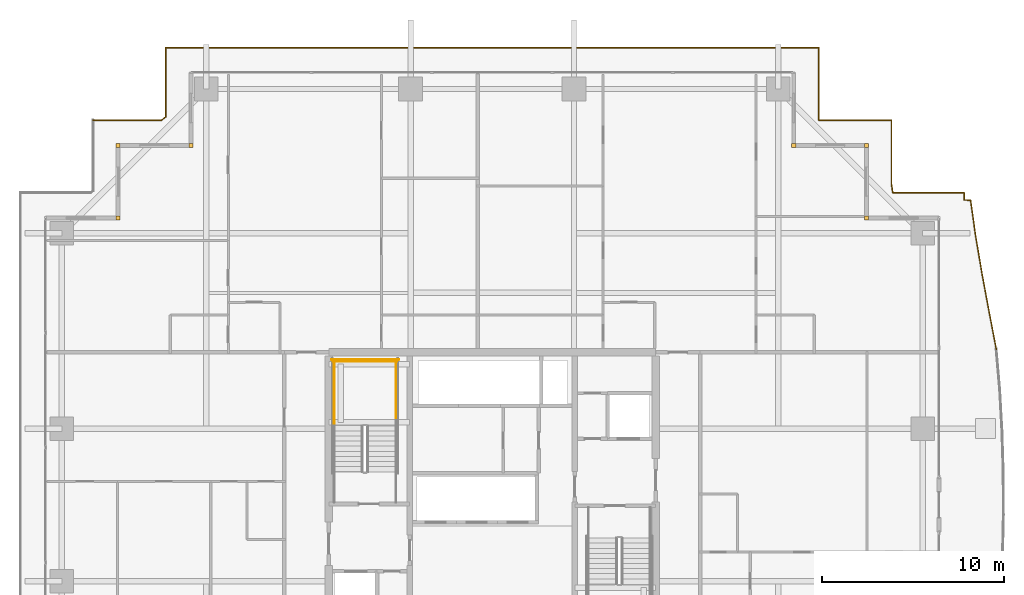
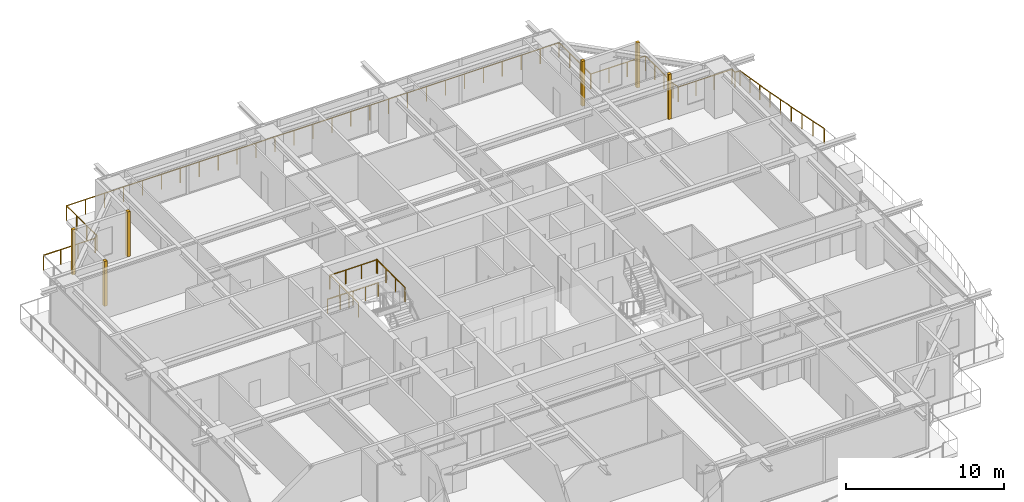
# One storey, part 37 of 37: 6 coverings, 6 railings.
"""IFC4 building model written with IfcOpenShell, lengths in metres."""

from ifc_helpers import new_model, si_unit, direction, frame, origin, origin_2d, place, context, subcontext, project, spatial, rectangle, circle, extrude, source, transform, mapped, material, layer, layer_set, type_object, element, save


model = new_model("IFC4")

# Units and contexts
model_context = context("Model", 3, precision=1e-05, world=origin(), true_north=direction((0.0, 1.0)))
body_context = subcontext(model_context, "Body", "Model", "MODEL_VIEW")
ifc_project = project(units=[si_unit("LENGTHUNIT", "METRE"), si_unit("AREAUNIT", "SQUARE_METRE"), si_unit("VOLUMEUNIT", "CUBIC_METRE"), si_unit("PLANEANGLEUNIT", "RADIAN"), si_unit("MASSUNIT", "GRAM", prefix="KILO")], contexts=[model_context])

# Site, building, storey
site_placement = place(None, origin())
site = spatial("IfcSite", under=ifc_project, at=site_placement, CompositionType="ELEMENT")
building_placement = place(site_placement, origin())
building = spatial("IfcBuilding", under=site, at=building_placement, Name="Serunith Strait Residences", CompositionType="ELEMENT")
storey_placement = place(building_placement, frame((0.0, 0.0, 161.39990234375)))
storey = spatial("IfcBuildingStorey", under=building, at=storey_placement, Name="L40", CompositionType="ELEMENT", Elevation=161.39990234375)

# Railings
ifc_material_1 = material(Name="Stainless Steel & Laminated Glass Balustrade", Category="steel")
railing_type_1 = type_object("IfcRailingType", Name="RLG-BALC-1150", PredefinedType="BALUSTRADE", material=ifc_material_1)
railing_1_placement = place(storey_placement, frame((10.419921875, 46.3798828125, -0.0498046875)))
element("IfcRailing", 1, at=railing_1_placement, inside=storey, type_object=railing_type_1, Name="L40 Swirling Balcony Perimeter Balustrade 2", PredefinedType="BALUSTRADE", context=body_context, shape_type="SweptSolid", body=[
    extrude(circle(Radius=0.02392578125, at=origin_2d()), frame((0.001953125, 0.0, 1.1259765625), z_axis=(1.0, 0.0, 0.0), x_axis=(0.0, 1.0, 0.0)), (0.0, 0.0, 1.0), 3.7744140625),
    extrude(circle(Radius=0.02392578125, at=origin_2d()), frame((3.77978515625, 0.001220703125, 1.1259765625), z_axis=(0.777683480837, 0.628656029664, 0.0), x_axis=(-0.628656029664, 0.777683480837, 0.0)), (0.0, 0.0, 1.0), 0.281005859375),
    extrude(circle(Radius=0.02392578125, at=origin_2d()), frame((4.0, 0.18115234375, 1.1259765625), z_axis=(0.0, 1.0, 0.0), x_axis=(-1.0, 0.0, 0.0)), (0.0, 0.0, 1.0), 3.81689453125),
    extrude(circle(Radius=0.02392578125, at=origin_2d()), frame((4.001953125, 4.0, 1.1259765625), z_axis=(1.0, 0.0, 0.0), x_axis=(0.0, 1.0, 0.0)), (0.0, 0.0, 1.0), 35.9560546875),
    extrude(circle(Radius=0.02392578125, at=origin_2d()), frame((39.9599609375, 3.998046875, 1.1259765625), z_axis=(0.0, -1.0, 0.0), x_axis=(1.0, 0.0, 0.0)), (0.0, 0.0, 1.0), 3.99609375),
    extrude(circle(Radius=0.02392578125, at=origin_2d()), frame((39.9619140625, 0.0, 1.1259765625), z_axis=(1.0, 0.0, 0.0), x_axis=(0.0, 1.0, 0.0)), (0.0, 0.0, 1.0), 3.99609375),
    extrude(circle(Radius=0.02392578125, at=origin_2d()), frame((43.9599609375, -0.001953125, 1.1259765625), z_axis=(0.0, -1.0, 0.0), x_axis=(1.0, 0.0, 0.0)), (0.0, 0.0, 1.0), 3.486083984375),
    extrude(circle(Radius=0.02392578125, at=origin_2d()), frame((43.960205078125, -3.491943359375, 1.1259765625), z_axis=(0.14864137233, -0.988891168143, 0.0), x_axis=(0.988891168143, 0.14864137233, 0.0)), (0.0, 0.0, 1.0), 0.51171875),
    extrude(circle(Radius=0.02099609375, at=origin_2d()), origin(), (0.0, 0.0, 1.0), 1.099853515625),
    extrude(circle(Radius=0.02099609375, at=origin_2d()), frame((1.259521484375, 0.0, 0.0)), (0.0, 0.0, 1.0), 1.099853515625),
    extrude(circle(Radius=0.02099609375, at=origin_2d()), frame((2.518798828125, 0.0, 0.0)), (0.0, 0.0, 1.0), 1.099853515625),
    extrude(circle(Radius=0.02099609375, at=origin_2d()), frame((3.7783203125, 0.0, 0.0)), (0.0, 0.0, 1.0), 1.099853515625),
    extrude(circle(Radius=0.02099609375, at=origin_2d()), frame((4.0, 0.17919921875, 0.0)), (0.0, 0.0, 1.0), 1.099853515625),
    extrude(circle(Radius=0.02099609375, at=origin_2d()), frame((4.0, 1.452880859375, 0.0)), (0.0, 0.0, 1.0), 1.099853515625),
    extrude(circle(Radius=0.02099609375, at=origin_2d()), frame((4.0, 2.726318359375, 0.0)), (0.0, 0.0, 1.0), 1.099853515625),
    extrude(circle(Radius=0.02099609375, at=origin_2d()), frame((4.0, 4.0, 0.0)), (0.0, 0.0, 1.0), 1.099853515625),
    extrude(circle(Radius=0.02099609375, at=origin_2d()), frame((5.383056640625, 4.0, 0.0)), (0.0, 0.0, 1.0), 1.099853515625),
    extrude(circle(Radius=0.02099609375, at=origin_2d()), frame((6.76611328125, 4.0, 0.0)), (0.0, 0.0, 1.0), 1.099853515625),
    extrude(circle(Radius=0.02099609375, at=origin_2d()), frame((8.149169921875, 4.0, 0.0)), (0.0, 0.0, 1.0), 1.099853515625),
    extrude(circle(Radius=0.02099609375, at=origin_2d()), frame((9.5322265625, 4.0, 0.0)), (0.0, 0.0, 1.0), 1.099853515625),
    extrude(circle(Radius=0.02099609375, at=origin_2d()), frame((10.915283203125, 4.0, 0.0)), (0.0, 0.0, 1.0), 1.099853515625),
    extrude(circle(Radius=0.02099609375, at=origin_2d()), frame((12.29833984375, 4.0, 0.0)), (0.0, 0.0, 1.0), 1.099853515625),
    extrude(circle(Radius=0.02099609375, at=origin_2d()), frame((13.681640625, 4.0, 0.0)), (0.0, 0.0, 1.0), 1.099853515625),
    extrude(circle(Radius=0.02099609375, at=origin_2d()), frame((15.064697265625, 4.0, 0.0)), (0.0, 0.0, 1.0), 1.099853515625),
    extrude(circle(Radius=0.02099609375, at=origin_2d()), frame((16.44775390625, 4.0, 0.0)), (0.0, 0.0, 1.0), 1.099853515625),
    extrude(circle(Radius=0.02099609375, at=origin_2d()), frame((17.830810546875, 4.0, 0.0)), (0.0, 0.0, 1.0), 1.099853515625),
    extrude(circle(Radius=0.02099609375, at=origin_2d()), frame((19.2138671875, 4.0, 0.0)), (0.0, 0.0, 1.0), 1.099853515625),
    extrude(circle(Radius=0.02099609375, at=origin_2d()), frame((20.596923828125, 4.0, 0.0)), (0.0, 0.0, 1.0), 1.099853515625),
    extrude(circle(Radius=0.02099609375, at=origin_2d()), frame((21.97998046875, 4.0, 0.0)), (0.0, 0.0, 1.0), 1.099853515625),
    extrude(circle(Radius=0.02099609375, at=origin_2d()), frame((23.363037109375, 4.0, 0.0)), (0.0, 0.0, 1.0), 1.099853515625),
    extrude(circle(Radius=0.02099609375, at=origin_2d()), frame((24.74609375, 4.0, 0.0)), (0.0, 0.0, 1.0), 1.099853515625),
    extrude(circle(Radius=0.02099609375, at=origin_2d()), frame((26.129150390625, 4.0, 0.0)), (0.0, 0.0, 1.0), 1.099853515625),
    extrude(circle(Radius=0.02099609375, at=origin_2d()), frame((27.51220703125, 4.0, 0.0)), (0.0, 0.0, 1.0), 1.099853515625),
    extrude(circle(Radius=0.02099609375, at=origin_2d()), frame((28.895263671875, 4.0, 0.0)), (0.0, 0.0, 1.0), 1.099853515625),
    extrude(circle(Radius=0.02099609375, at=origin_2d()), frame((30.2783203125, 4.0, 0.0)), (0.0, 0.0, 1.0), 1.099853515625),
    extrude(circle(Radius=0.02099609375, at=origin_2d()), frame((31.66162109375, 4.0, 0.0)), (0.0, 0.0, 1.0), 1.099853515625),
    extrude(circle(Radius=0.02099609375, at=origin_2d()), frame((33.044677734375, 4.0, 0.0)), (0.0, 0.0, 1.0), 1.099853515625),
    extrude(circle(Radius=0.02099609375, at=origin_2d()), frame((34.427734375, 4.0, 0.0)), (0.0, 0.0, 1.0), 1.099853515625),
    extrude(circle(Radius=0.02099609375, at=origin_2d()), frame((35.810791015625, 4.0, 0.0)), (0.0, 0.0, 1.0), 1.099853515625),
    extrude(circle(Radius=0.02099609375, at=origin_2d()), frame((37.19384765625, 4.0, 0.0)), (0.0, 0.0, 1.0), 1.099853515625),
    extrude(circle(Radius=0.02099609375, at=origin_2d()), frame((38.576904296875, 4.0, 0.0)), (0.0, 0.0, 1.0), 1.099853515625),
    extrude(circle(Radius=0.02099609375, at=origin_2d()), frame((39.9599609375, 4.0, 0.0)), (0.0, 0.0, 1.0), 1.099853515625),
    extrude(circle(Radius=0.02099609375, at=origin_2d()), frame((39.9599609375, 2.666748046875, 0.0)), (0.0, 0.0, 1.0), 1.099853515625),
    extrude(circle(Radius=0.02099609375, at=origin_2d()), frame((39.9599609375, 1.333251953125, 0.0)), (0.0, 0.0, 1.0), 1.099853515625),
    extrude(circle(Radius=0.02099609375, at=origin_2d()), frame((39.9599609375, 0.0, 0.0)), (0.0, 0.0, 1.0), 1.099853515625),
    extrude(circle(Radius=0.02099609375, at=origin_2d()), frame((41.293212890625, 0.0, 0.0)), (0.0, 0.0, 1.0), 1.099853515625),
    extrude(circle(Radius=0.02099609375, at=origin_2d()), frame((42.626708984375, 0.0, 0.0)), (0.0, 0.0, 1.0), 1.099853515625),
    extrude(circle(Radius=0.02099609375, at=origin_2d()), frame((43.9599609375, 0.0, 0.0)), (0.0, 0.0, 1.0), 1.099853515625),
    extrude(circle(Radius=0.02099609375, at=origin_2d()), frame((43.9599609375, -1.163330078125, 0.0)), (0.0, 0.0, 1.0), 1.099853515625),
    extrude(circle(Radius=0.02099609375, at=origin_2d()), frame((43.9599609375, -2.32666015625, 0.0)), (0.0, 0.0, 1.0), 1.099853515625),
    extrude(circle(Radius=0.02099609375, at=origin_2d()), frame((43.9599609375, -3.489990234375, 0.0)), (0.0, 0.0, 1.0), 1.099853515625),
    extrude(circle(Radius=0.02099609375, at=origin_2d()), frame((44.03662109375, -4.0, 0.0)), (0.0, 0.0, 1.0), 1.099853515625),
])
railing_2_placement = place(storey_placement, frame((54.45654296875, 42.3798828125, -0.0498046875)))
element("IfcRailing", 2, at=railing_2_placement, inside=storey, type_object=railing_type_1, Name="L40 Swirling Balcony Perimeter Balustrade 3", PredefinedType="BALUSTRADE", context=body_context, shape_type="SweptSolid", body=[
    extrude(circle(Radius=0.02392578125, at=origin_2d()), frame((0.001953125, 0.0, 1.1259765625), z_axis=(1.0, 0.0, 0.0), x_axis=(0.0, 1.0, 0.0)), (0.0, 0.0, 1.0), 3.91943359375),
    extrude(circle(Radius=0.02392578125, at=origin_2d()), frame((3.92333984375, -0.001953125, 1.1259765625), z_axis=(0.0, -1.0, 0.0), x_axis=(1.0, 0.0, 0.0)), (0.0, 0.0, 1.0), 0.38232421875),
    extrude(circle(Radius=0.02392578125, at=origin_2d()), frame((3.92529296875, -0.38623046875, 1.1259765625), z_axis=(0.998398942355, -0.056564581717, 0.0), x_axis=(0.056564581717, 0.998398942355, 0.0)), (0.0, 0.0, 1.0), 0.354248046875),
    extrude(circle(Radius=0.02392578125, at=origin_2d()), frame((4.28125, -0.408447265625, 1.1259765625), z_axis=(0.141083134989, -0.989997752029, 0.0), x_axis=(0.989997752029, 0.141083134989, 0.0)), (0.0, 0.0, 1.0), 2.01708984375),
    extrude(circle(Radius=0.02392578125, at=origin_2d()), frame((4.56640625, -2.409423828125, 1.1259765625), z_axis=(0.165769945223, -0.986164451428, 0.0), x_axis=(0.986164451428, 0.165769945223, 0.0)), (0.0, 0.0, 1.0), 2.046142578125),
    extrude(circle(Radius=0.02392578125, at=origin_2d()), frame((4.906494140625, -4.43115234375, 1.1259765625), z_axis=(0.183599179525, -0.983001190883, 0.0), x_axis=(0.983001190883, 0.183599179525, 0.0)), (0.0, 0.0, 1.0), 2.091796875),
    extrude(circle(Radius=0.02392578125, at=origin_2d()), frame((5.291259765625, -6.4912109375, 1.1259765625), z_axis=(0.188049020606, -0.982159643769, 0.0), x_axis=(0.982159643769, 0.188049020606, 0.0)), (0.0, 0.0, 1.0), 2.151123046875),
    extrude(circle(Radius=0.02099609375, at=origin_2d()), origin(), (0.0, 0.0, 1.0), 1.099853515625),
    extrude(circle(Radius=0.02099609375, at=origin_2d()), frame((1.307861328125, 0.0, 0.0)), (0.0, 0.0, 1.0), 1.099853515625),
    extrude(circle(Radius=0.02099609375, at=origin_2d()), frame((2.615478515625, 0.0, 0.0)), (0.0, 0.0, 1.0), 1.099853515625),
    extrude(circle(Radius=0.02099609375, at=origin_2d()), frame((3.92333984375, 0.0, 0.0)), (0.0, 0.0, 1.0), 1.099853515625),
    extrude(circle(Radius=0.02099609375, at=origin_2d()), frame((3.92333984375, -0.38623046875, 0.0)), (0.0, 0.0, 1.0), 1.099853515625),
    extrude(circle(Radius=0.02099609375, at=origin_2d()), frame((4.281005859375, -0.406494140625, 0.0)), (0.0, 0.0, 1.0), 1.099853515625),
    extrude(circle(Radius=0.02099609375, at=origin_2d()), frame((4.423583984375, -1.406982421875, 0.0)), (0.0, 0.0, 1.0), 1.099853515625),
    extrude(circle(Radius=0.02099609375, at=origin_2d()), frame((4.566162109375, -2.407470703125, 0.0)), (0.0, 0.0, 1.0), 1.099853515625),
    extrude(circle(Radius=0.02099609375, at=origin_2d()), frame((4.736083984375, -3.41845703125, 0.0)), (0.0, 0.0, 1.0), 1.099853515625),
    extrude(circle(Radius=0.02099609375, at=origin_2d()), frame((4.906005859375, -4.42919921875, 0.0)), (0.0, 0.0, 1.0), 1.099853515625),
    extrude(circle(Radius=0.02099609375, at=origin_2d()), frame((5.098388671875, -5.459228515625, 0.0)), (0.0, 0.0, 1.0), 1.099853515625),
    extrude(circle(Radius=0.02099609375, at=origin_2d()), frame((5.290771484375, -6.4892578125, 0.0)), (0.0, 0.0, 1.0), 1.099853515625),
    extrude(circle(Radius=0.02099609375, at=origin_2d()), frame((5.493408203125, -7.547607421875, 0.0)), (0.0, 0.0, 1.0), 1.099853515625),
    extrude(circle(Radius=0.02099609375, at=origin_2d()), frame((5.696044921875, -8.60595703125, 0.0)), (0.0, 0.0, 1.0), 1.099853515625),
])
ifc_material_2 = material(Name="Brushed stainless steel 316L", Category="steel")
railing_type_2 = type_object("IfcRailingType", Name="RLG-STAIR-GUARD", PredefinedType="BALUSTRADE", material=ifc_material_2)
for number, where, name in (
    (3, (27.10009765625, 29.550048828125, 1.875), "L40 ST-1 stair guard 3"),
    (4, (23.699951171875, 29.550048828125, 1.875), "L40 ST-1 stair guard 4"),
):
    element("IfcRailing", number, at=place(storey_placement, frame(where)), inside=storey, type_object=railing_type_2, Name=name, PredefinedType="BALUSTRADE", context=body_context, shape_type="SweptSolid", body=[
        extrude(circle(Radius=0.02392578125, at=origin_2d()), frame((0.0, 0.001953125, 1.076171875), z_axis=(0.0, 1.0, 0.0), x_axis=(-1.0, 0.0, 0.0)), (0.0, 0.0, 1.0), 3.595947265625),
        extrude(circle(Radius=0.02099609375, at=origin_2d()), origin(), (0.0, 0.0, 1.0), 1.050048828125),
        extrude(circle(Radius=0.02099609375, at=origin_2d()), frame((0.0, 1.199951171875, 0.0)), (0.0, 0.0, 1.0), 1.050048828125),
        extrude(circle(Radius=0.02099609375, at=origin_2d()), frame((0.0, 2.39990234375, 0.0)), (0.0, 0.0, 1.0), 1.050048828125),
        extrude(circle(Radius=0.02099609375, at=origin_2d()), frame((0.0, 3.599853515625, 0.0)), (0.0, 0.0, 1.0), 1.050048828125),
    ])
railing_3_placement = place(storey_placement, frame((27.14990234375, 33.10009765625, 1.875)))
element("IfcRailing", 5, at=railing_3_placement, inside=storey, type_object=railing_type_2, Name="L40 ST-1 stair guard 5", PredefinedType="BALUSTRADE", context=body_context, shape_type="SweptSolid", body=[
    extrude(circle(Radius=0.02392578125, at=origin_2d()), frame((-0.001953125, 0.0, 1.076171875), z_axis=(-1.0, 0.0, 0.0), x_axis=(0.0, -1.0, 0.0)), (0.0, 0.0, 1.0), 3.49609375),
    extrude(circle(Radius=0.02099609375, at=origin_2d()), origin(), (0.0, 0.0, 1.0), 1.050048828125),
    extrude(circle(Radius=0.02099609375, at=origin_2d()), frame((-1.166748046875, 0.0, 0.0)), (0.0, 0.0, 1.0), 1.050048828125),
    extrude(circle(Radius=0.02099609375, at=origin_2d()), frame((-2.333251953125, 0.0, 0.0)), (0.0, 0.0, 1.0), 1.050048828125),
    extrude(circle(Radius=0.02099609375, at=origin_2d()), frame((-3.5, 0.0, 0.0)), (0.0, 0.0, 1.0), 1.050048828125),
])
railing_4_placement = place(storey_placement, frame((27.25, 33.199951171875, 0.0)))
element("IfcRailing", 6, at=railing_4_placement, inside=storey, type_object=railing_type_2, Name="L40 ST-1 stair guard 12", PredefinedType="BALUSTRADE", context=body_context, shape_type="SweptSolid", body=[
    extrude(circle(Radius=0.02392578125, at=origin_2d()), frame((-0.001953125, 0.0, 1.076171875), z_axis=(-1.0, 0.0, 0.0), x_axis=(0.0, -1.0, 0.0)), (0.0, 0.0, 1.0), 3.696044921875),
    extrude(circle(Radius=0.02099609375, at=origin_2d()), origin(), (0.0, 0.0, 1.0), 1.050048828125),
    extrude(circle(Radius=0.02099609375, at=origin_2d()), frame((-0.925048828125, 0.0, 0.0)), (0.0, 0.0, 1.0), 1.050048828125),
    extrude(circle(Radius=0.02099609375, at=origin_2d()), frame((-1.85009765625, 0.0, 0.0)), (0.0, 0.0, 1.0), 1.050048828125),
    extrude(circle(Radius=0.02099609375, at=origin_2d()), frame((-2.77490234375, 0.0, 0.0)), (0.0, 0.0, 1.0), 1.050048828125),
    extrude(circle(Radius=0.02099609375, at=origin_2d()), frame((-3.699951171875, 0.0, 0.0)), (0.0, 0.0, 1.0), 1.050048828125),
])

# Coverings
ifc_material_3 = material(Name="Pale-Champagne Anodised Aluminium", Category="aluminium")
ifc_layer = layer(ifc_material_3, 0.219970703125, Name="Pale-Champagne Anodised Aluminium")
ifc_layer_set = layer_set([ifc_layer], Name="Pale-Champagne Anodised Aluminium")
covering_type = type_object("IfcCoveringType", Name="COV-CORN-TRIM", PredefinedType="CLADDING", material=ifc_layer_set)
shared_shape = source(origin(), body_context, "Body", "SweptSolid", [
    extrude(rectangle(XDim=0.221923828125, YDim=0.221923828125, at=origin_2d()), origin(), (0.0, 0.0, 1.0), 3.47509765625),
])
for number, where, z_axis, x_axis, name in (
    (7, (53.0, 41.0, 0.0), (0.0, 0.0, 1.0), (1.0, 0.0, 0.0), "L40 Girih Serrated Corner Trim Post 07"),
    (8, (53.0, 45.0, 0.0), (0.0, 0.0, 1.0), (1.0, 0.0, 0.0), "L40 Girih Serrated Corner Trim Post 08"),
    (9, (49.0, 45.0, 0.0), (0.0, 0.0, 1.0), (1.0, 0.0, 0.0), "L40 Girih Serrated Corner Trim Post 09"),
    (10, (15.800048828125, 45.0, 0.0), (0.0, 0.0, 1.0), (1.0, 0.0, 0.0), "L40 Girih Serrated Corner Trim Post 12"),
    (11, (11.800048828125, 45.0, 0.0), (0.0, 0.0, 1.0), (1.0, 0.0, 0.0), "L40 Girih Serrated Corner Trim Post 13"),
    (12, (11.800048828125, 41.0, 0.0), (0.0, 0.0, 1.0), (1.0, 0.0, 0.0), "L40 Girih Serrated Corner Trim Post 14"),
):
    element("IfcCovering", number, at=place(storey_placement, frame(where, z_axis=z_axis, x_axis=x_axis)), inside=storey, type_object=covering_type, Name=name, PredefinedType="CLADDING", context=body_context, shape_type="MappedRepresentation", body=[
        mapped(shared_shape, transform((0.0, 0.0, 0.0), scale=1.0)),
    ])

save(model, "model.ifc")
